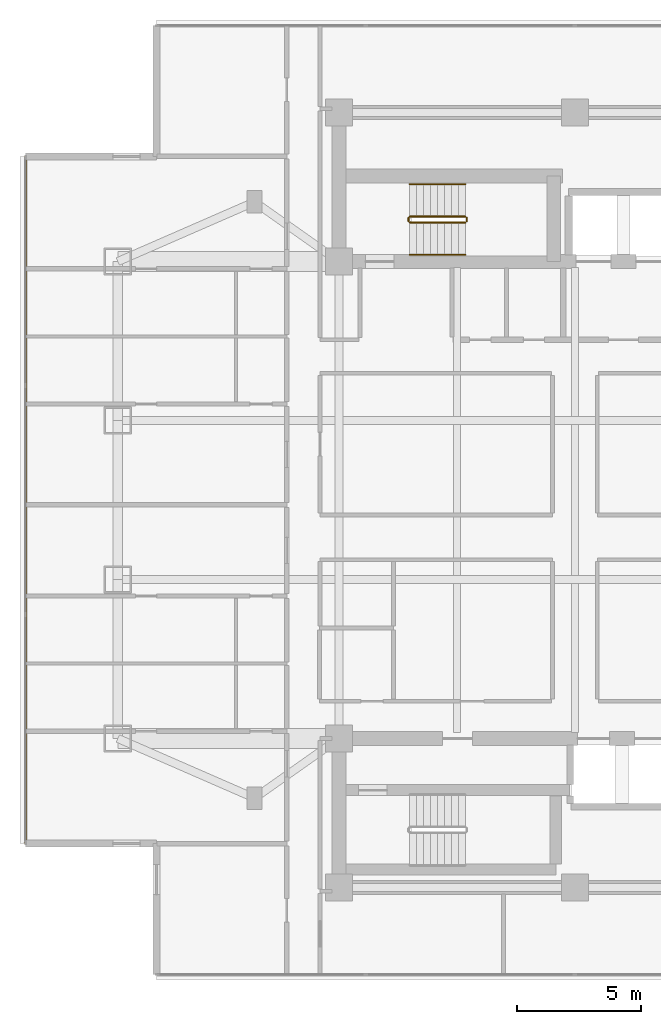
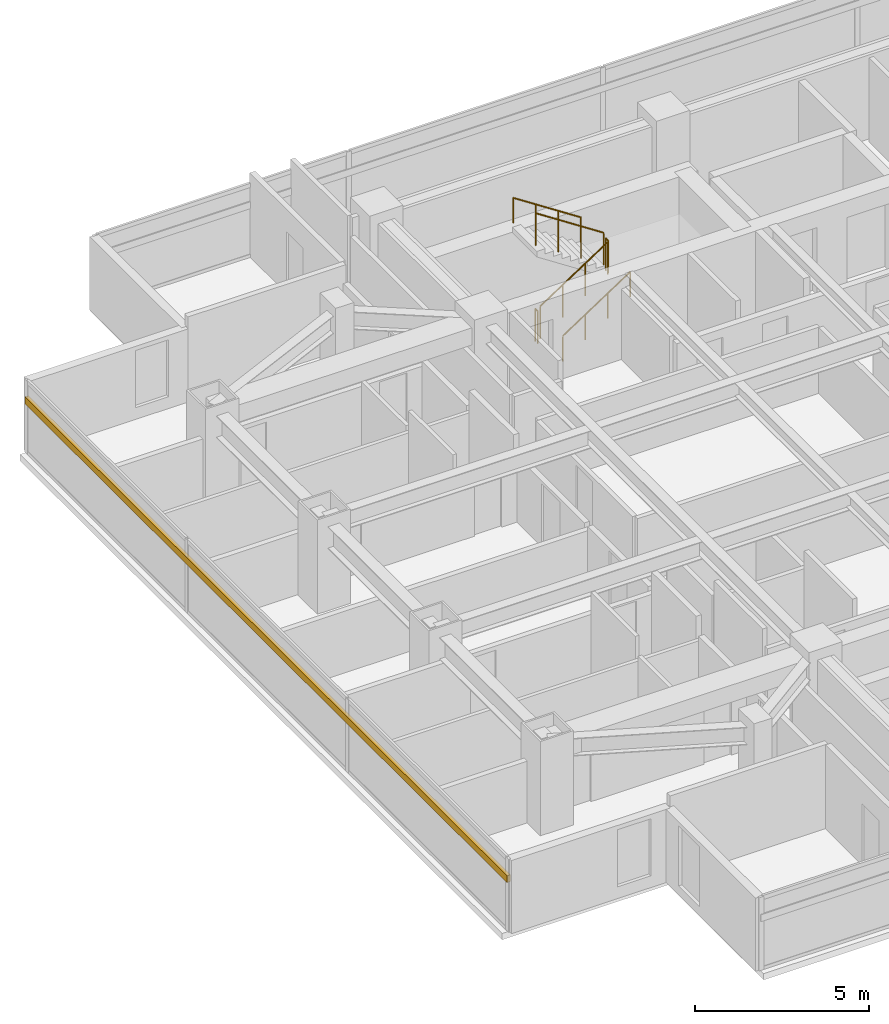
# One storey, part 21 of 24: 6 railings, 1 shading device.
"""IFC4 building model written with IfcOpenShell, lengths in metres."""

from ifc_helpers import new_model, si_unit, direction, frame, origin, origin_2d, place, context, subcontext, project, spatial, rectangle, circle, extrude, material, material_profile, profile_set, type_object, element, save


model = new_model("IFC4")

# Units and contexts
model_context = context("Model", 3, precision=1e-05, world=origin(), true_north=direction((0.0, 1.0)))
body_context = subcontext(model_context, "Body", "Model", "MODEL_VIEW")
ifc_project = project(units=[si_unit("LENGTHUNIT", "METRE"), si_unit("AREAUNIT", "SQUARE_METRE"), si_unit("VOLUMEUNIT", "CUBIC_METRE"), si_unit("PLANEANGLEUNIT", "RADIAN"), si_unit("MASSUNIT", "GRAM", prefix="KILO")], contexts=[model_context])

# Site, building, storey
site_placement = place(None, origin())
site = spatial("IfcSite", under=ifc_project, at=site_placement, CompositionType="ELEMENT")
building_placement = place(site_placement, origin())
building = spatial("IfcBuilding", under=site, at=building_placement, Name="Mirazonda Arch Towers", CompositionType="ELEMENT")
storey_placement = place(building_placement, frame((0.0, 0.0, 144.5)))
storey = spatial("IfcBuildingStorey", under=building, at=storey_placement, Name="L41", CompositionType="ELEMENT", Elevation=144.5)

# Shading device
ifc_material_1 = material(Name="Kiln-Fired Architectural Terracotta", Category="masonry")
ifc_material_profile = material_profile(ifc_material_1, rectangle(XDim=0.1201171875, YDim=0.239990234375, at=origin_2d()), Name="TERRA-BAG-120x240")
ifc_profile_set = profile_set([ifc_material_profile], Name="Kiln-Fired Architectural Terracotta")
shading_device_type = type_object("IfcShadingDeviceType", Name="BAGUETTE-1", PredefinedType="USERDEFINED", material=ifc_profile_set)
shading_device_placement = place(storey_placement, frame((-1.6201171875, 41.833984375, 1.84326171875), z_axis=(0.0, -1.0, 0.0), x_axis=(1.0, 0.0, 0.0)))
element("IfcShadingDevice", 1, at=shading_device_placement, inside=storey, type_object=shading_device_type, Name="L41 Glazed Terracotta Sun-Screen Baguette CW-L41-T1-W", ObjectType="BAGUETTE", PredefinedType="USERDEFINED", context=body_context, shape_type="SweptSolid", body=[
    extrude(rectangle(XDim=0.1201171875, YDim=0.239990234375, at=origin_2d()), origin(), (0.0, 0.0, 1.0), 27.66796875),
])

# Railings
ifc_material_2 = material(Name="Architectural Brushed Steel S355", Category="steel")
railing_type_1 = type_object("IfcRailingType", Name="GUARD-STAIR-1120", PredefinedType="GUARDRAIL", material=ifc_material_2)
railing_1_placement = place(storey_placement, frame((13.85009765625, 39.169921875, 0.183349609375)))
element("IfcRailing", 2, at=railing_1_placement, inside=storey, type_object=railing_type_1, Name="L41 ST-T1N stair guard 1", PredefinedType="GUARDRAIL", context=body_context, shape_type="SweptSolid", body=[
    extrude(circle(Radius=0.02392578125, at=origin_2d()), frame((0.0, 0.0, 1.1259765625), z_axis=(0.836636935527, 0.0, 0.547757827979), x_axis=(0.0, 1.0, 0.0)), (0.0, 0.0, 1.0), 2.677490234375),
    extrude(circle(Radius=0.02099609375, at=origin_2d()), origin(), (0.0, 0.0, 1.0), 1.101806640625),
    extrude(circle(Radius=0.02099609375, at=origin_2d()), frame((0.74658203125, 0.0, 0.48876953125)), (0.0, 0.0, 1.0), 1.101806640625),
    extrude(circle(Radius=0.02099609375, at=origin_2d()), frame((1.493408203125, 0.0, 0.977783203125)), (0.0, 0.0, 1.0), 1.101806640625),
    extrude(circle(Radius=0.02099609375, at=origin_2d()), frame((2.239990234375, 0.0, 1.466552734375)), (0.0, 0.0, 1.0), 1.101806640625),
])
railing_2_placement = place(storey_placement, frame((16.139892578125, 39.219970703125, 1.64990234375)))
element("IfcRailing", 3, at=railing_2_placement, inside=storey, type_object=railing_type_1, Name="L41 ST-T1N stair guard 2", PredefinedType="GUARDRAIL", context=body_context, shape_type="SweptSolid", body=[
    extrude(circle(Radius=0.02392578125, at=origin_2d()), frame((0.0, 0.0, 1.1259765625), z_axis=(0.0, 1.0, 0.0), x_axis=(-1.0, 0.0, 0.0)), (0.0, 0.0, 1.0), 0.14013671875),
    extrude(circle(Radius=0.02099609375, at=origin_2d()), origin(), (0.0, 0.0, 1.0), 1.101806640625),
    extrude(circle(Radius=0.02099609375, at=origin_2d()), frame((0.0, 0.14013671875, 0.0)), (0.0, 0.0, 1.0), 1.101806640625),
])
railing_3_placement = place(storey_placement, frame((16.090087890625, 39.409912109375, 1.833251953125)))
element("IfcRailing", 4, at=railing_3_placement, inside=storey, type_object=railing_type_1, Name="L41 ST-T1N stair guard 3", PredefinedType="GUARDRAIL", context=body_context, shape_type="SweptSolid", body=[
    extrude(circle(Radius=0.02392578125, at=origin_2d()), frame((0.0, 0.0, 1.1259765625), z_axis=(-0.836595146698, 0.0, 0.547821650285), x_axis=(0.0, -1.0, 0.0)), (0.0, 0.0, 1.0), 2.677490234375),
    extrude(circle(Radius=0.02099609375, at=origin_2d()), origin(), (0.0, 0.0, 1.0), 1.101806640625),
    extrude(circle(Radius=0.02099609375, at=origin_2d()), frame((-0.74658203125, 0.0, 0.489013671875)), (0.0, 0.0, 1.0), 1.101806640625),
    extrude(circle(Radius=0.02099609375, at=origin_2d()), frame((-1.493408203125, 0.0, 0.977783203125)), (0.0, 0.0, 1.0), 1.101806640625),
    extrude(circle(Radius=0.02099609375, at=origin_2d()), frame((-2.239990234375, 0.0, 1.466796875)), (0.0, 0.0, 1.0), 1.101806640625),
])
railing_4_placement = place(storey_placement, frame((13.800048828125, 39.219970703125, 0.0)))
element("IfcRailing", 5, at=railing_4_placement, inside=storey, type_object=railing_type_1, Name="L41 ST-T1N stair guard 4", PredefinedType="GUARDRAIL", context=body_context, shape_type="SweptSolid", body=[
    extrude(circle(Radius=0.02392578125, at=origin_2d()), frame((0.0, 0.0, 1.1259765625), z_axis=(0.0, 1.0, 0.0), x_axis=(-1.0, 0.0, 0.0)), (0.0, 0.0, 1.0), 0.14013671875),
    extrude(circle(Radius=0.02099609375, at=origin_2d()), origin(), (0.0, 0.0, 1.0), 1.101806640625),
    extrude(circle(Radius=0.02099609375, at=origin_2d()), frame((0.0, 0.14013671875, 0.0)), (0.0, 0.0, 1.0), 1.101806640625),
])
railing_type_2 = type_object("IfcRailingType", Name="HANDRAIL-915", PredefinedType="HANDRAIL", material=ifc_material_2)
railing_5_placement = place(storey_placement, frame((13.85009765625, 37.8701171875, 0.183349609375)))
element("IfcRailing", 6, at=railing_5_placement, inside=storey, type_object=railing_type_2, Name="L41 ST-T1N stair handrail 1", PredefinedType="HANDRAIL", context=body_context, shape_type="SweptSolid", body=[
    extrude(circle(Radius=0.02392578125, at=origin_2d()), frame((0.0, 0.0, 0.8759765625), z_axis=(0.836636935527, 0.0, 0.547757827979), x_axis=(0.0, 1.0, 0.0)), (0.0, 0.0, 1.0), 2.677490234375),
    extrude(circle(Radius=0.02099609375, at=origin_2d()), origin(), (0.0, 0.0, 1.0), 0.851806640625),
    extrude(circle(Radius=0.02099609375, at=origin_2d()), frame((0.74658203125, 0.0, 0.48876953125)), (0.0, 0.0, 1.0), 0.851806640625),
    extrude(circle(Radius=0.02099609375, at=origin_2d()), frame((1.493408203125, 0.0, 0.977783203125)), (0.0, 0.0, 1.0), 0.851806640625),
    extrude(circle(Radius=0.02099609375, at=origin_2d()), frame((2.239990234375, 0.0, 1.466552734375)), (0.0, 0.0, 1.0), 0.851806640625),
])
railing_6_placement = place(storey_placement, frame((16.090087890625, 40.7099609375, 1.833251953125)))
element("IfcRailing", 7, at=railing_6_placement, inside=storey, type_object=railing_type_2, Name="L41 ST-T1N stair handrail 2", PredefinedType="HANDRAIL", context=body_context, shape_type="SweptSolid", body=[
    extrude(circle(Radius=0.02392578125, at=origin_2d()), frame((0.0, 0.0, 0.8759765625), z_axis=(-0.836595146698, 0.0, 0.547821650285), x_axis=(0.0, -1.0, 0.0)), (0.0, 0.0, 1.0), 2.677490234375),
    extrude(circle(Radius=0.02099609375, at=origin_2d()), origin(), (0.0, 0.0, 1.0), 0.851806640625),
    extrude(circle(Radius=0.02099609375, at=origin_2d()), frame((-0.74658203125, 0.0, 0.489013671875)), (0.0, 0.0, 1.0), 0.851806640625),
    extrude(circle(Radius=0.02099609375, at=origin_2d()), frame((-1.493408203125, 0.0, 0.977783203125)), (0.0, 0.0, 1.0), 0.851806640625),
    extrude(circle(Radius=0.02099609375, at=origin_2d()), frame((-2.239990234375, 0.0, 1.466796875)), (0.0, 0.0, 1.0), 0.851806640625),
])

save(model, "model.ifc")
